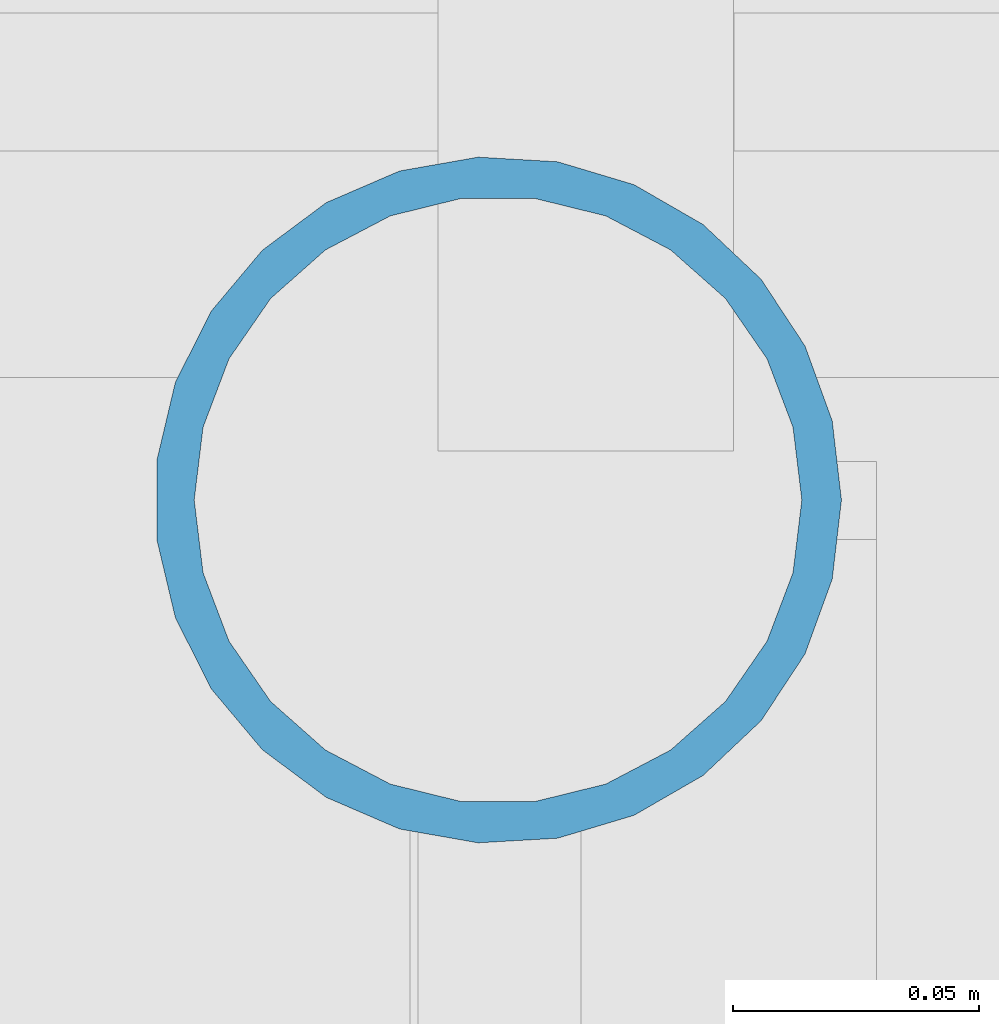
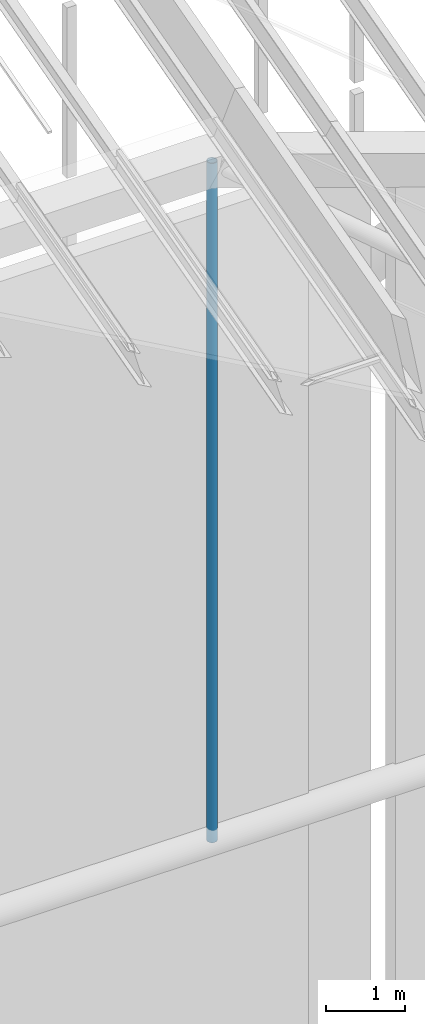
# One storey, part 63 of 126: 1 member.
"""IFC4 building model written with IfcOpenShell, lengths in metres."""

from ifc_helpers import new_model, si_unit, direction, frame, origin, origin_2d, place, context, subcontext, project, spatial, hollow_circle, extrude, material, material_profile, profile_set, type_object, element, save


model = new_model("IFC4")

# Units and contexts
model_context = context("Model", 3, precision=1e-05, world=origin(), true_north=direction((0.0, 1.0)))
body_context = subcontext(model_context, "Body", "Model", "MODEL_VIEW")
ifc_project = project(units=[si_unit("LENGTHUNIT", "METRE"), si_unit("AREAUNIT", "SQUARE_METRE"), si_unit("VOLUMEUNIT", "CUBIC_METRE"), si_unit("PLANEANGLEUNIT", "RADIAN"), si_unit("MASSUNIT", "GRAM", prefix="KILO")], contexts=[model_context])

# Site, building, storey
site_placement = place(None, origin())
site = spatial("IfcSite", under=ifc_project, at=site_placement, CompositionType="ELEMENT")
building_placement = place(site_placement, origin())
building = spatial("IfcBuilding", under=site, at=building_placement, Name="Sava Quay Ferry Terminal", CompositionType="ELEMENT")
storey_placement = place(building_placement, frame((0.0, 0.0, 15.0)))
storey = spatial("IfcBuildingStorey", under=building, at=storey_placement, Name="L03", CompositionType="ELEMENT", Elevation=15.0)

# Member
ifc_material = material(Name="Steel S355", Category="steel")
ifc_material_profile = material_profile(ifc_material, hollow_circle(Radius=0.06982421875, WallThickness=0.008056640625, at=origin_2d()), Name="CHS 139.7 x 8.0")
ifc_profile_set = profile_set([ifc_material_profile], Name="Steel S355")
member_type = type_object("IfcMemberType", Name="Tie hanger CHS 139.7x8", PredefinedType="USERDEFINED", material=ifc_profile_set)
member_placement = place(storey_placement, frame((65.10009765625, 100.800048828125, 15.625), z_axis=(0.0, 0.0, 1.0), x_axis=(1.0, 0.0, 0.0)))
element("IfcMember", 1, at=member_placement, inside=storey, type_object=member_type, Name="Departure hall tie hanger R6 V3", ObjectType="TIE HANGER", PredefinedType="USERDEFINED", context=body_context, shape_type="SweptSolid", body=[
    extrude(hollow_circle(Radius=0.06982421875, WallThickness=0.008056640625, at=origin_2d()), origin(), (0.0, 0.0, 1.0), 10.497314453125),
])

save(model, "model.ifc")
